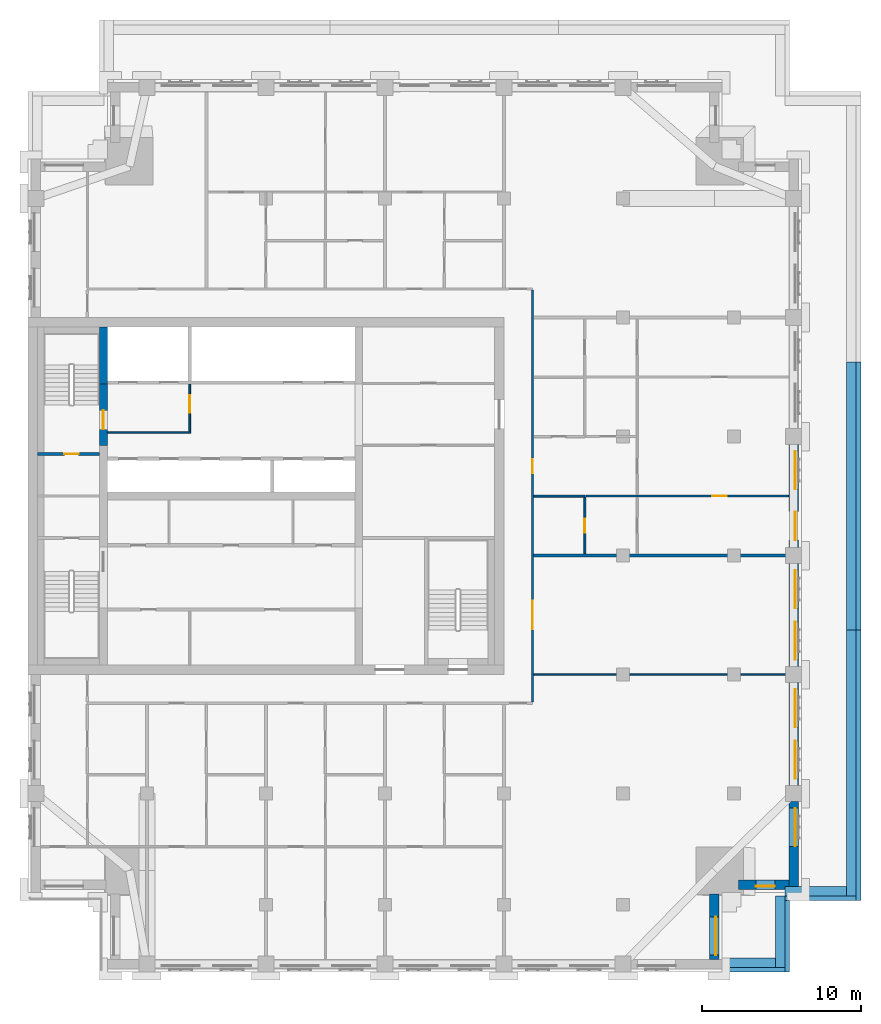
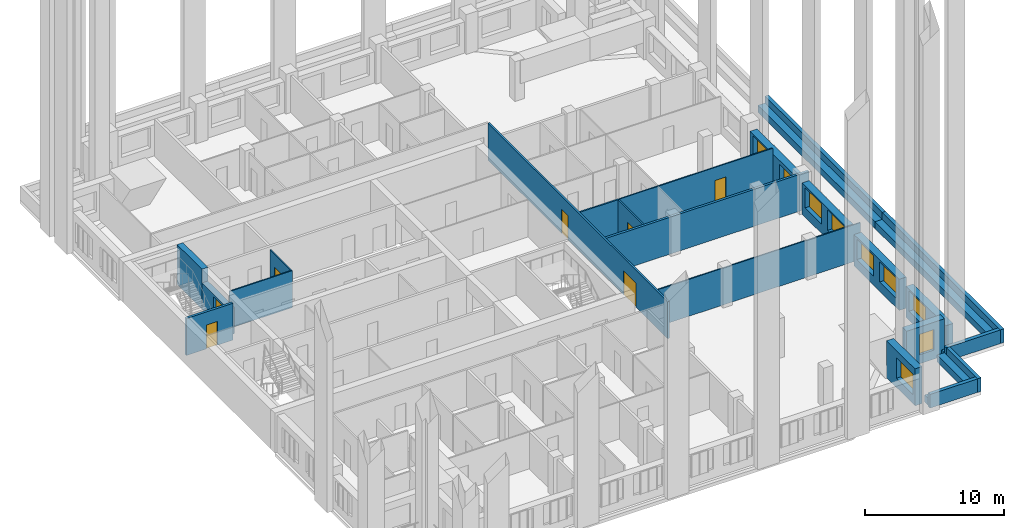
# One storey, part 5 of 12: 27 walls, 8 doors, 8 windows, 16 openings.
"""IFC4 building model written with IfcOpenShell, lengths in metres."""

from ifc_helpers import new_model, si_unit, direction, frame, frame_2d, origin, place, context, subcontext, project, spatial, rectangle, extrude, material, layer, layer_set, type_object, element, fill, save


model = new_model("IFC4")

# Units and contexts
model_context = context("Model", 3, precision=1e-05, world=origin(), true_north=direction((0.0, 1.0)))
body_context = subcontext(model_context, "Body", "Model", "MODEL_VIEW")
ifc_project = project(units=[si_unit("LENGTHUNIT", "METRE"), si_unit("AREAUNIT", "SQUARE_METRE"), si_unit("VOLUMEUNIT", "CUBIC_METRE"), si_unit("PLANEANGLEUNIT", "RADIAN"), si_unit("MASSUNIT", "GRAM", prefix="KILO")], contexts=[model_context])

# Site, building, storey
site_placement = place(None, origin())
site = spatial("IfcSite", under=ifc_project, at=site_placement, CompositionType="ELEMENT")
building_placement = place(site_placement, origin())
building = spatial("IfcBuilding", under=site, at=building_placement, Name="Tamorin Gate", CompositionType="ELEMENT")
storey_placement = place(building_placement, frame((0.0, 0.0, 219.699951171875)))
storey = spatial("IfcBuildingStorey", under=building, at=storey_placement, Name="L54", CompositionType="ELEMENT", Elevation=219.699951171875)

# Wall, opening, window
ifc_material_1 = material(Name="Precast concrete C40/50", Category="concrete")
ifc_layer_1 = layer(ifc_material_1, 0.60009765625)
ifc_layer_set_1 = layer_set([ifc_layer_1], Name="Precast concrete C40/50")
wall_type_1 = type_object("IfcWallType", Name="Board-marked concrete facade panel 600", PredefinedType="SOLIDWALL", material=ifc_layer_set_1)
wall_1_placement = place(storey_placement, frame((73.25, 42.050048828125, 0.0), z_axis=(0.0, 0.0, 1.0), x_axis=(0.0, 1.0, 0.0)))
wall_1 = element("IfcWall", 1, at=wall_1_placement, inside=storey, type_object=wall_type_1, Name="Facade panel", PredefinedType="SOLIDWALL", context=body_context, shape_type="SweptSolid", body=[
    extrude(rectangle(XDim=4.106201171875, YDim=0.60009765625, at=frame_2d((2.05322265625, 0.0))), origin(), (0.0, 0.0, 1.0), 3.25),
])
opening_1_placement = place(wall_1_placement, frame((0.27490234375, 0.0, 0.800048828125)))
opening_1 = element("IfcOpeningElement", 2, at=opening_1_placement, cuts=wall_1, Name="Opening WN1", PredefinedType="OPENING", context=body_context, shape_type="SweptSolid", body=[
    extrude(rectangle(XDim=2.39990234375, YDim=1.800048828125, at=frame_2d((1.199951171875, 0.89990234375))), frame((0.0, 0.31005859375, 0.0), z_axis=(0.0, -1.0, 0.0), x_axis=(1.0, 0.0, 0.0)), (0.0, 0.0, 1.0), 0.6201171875),
])
ifc_material_2 = material(Name="Clear glass in aluminium frame", Category="aluminium")
window_type_1 = type_object("IfcWindowType", Name="Deep-set window 2400x1800", PartitioningType="SINGLE_PANEL", PredefinedType="WINDOW", material=ifc_material_2)
window_1_placement = place(opening_1_placement, origin())
window_1 = element("IfcWindow", 3, at=window_1_placement, inside=storey, type_object=window_type_1, Name="Deep-set window", OverallHeight=1.800048828125, OverallWidth=2.39990234375, PartitioningType="SINGLE_PANEL", PredefinedType="WINDOW", context=body_context, shape_type="SweptSolid", body=[
    extrude(rectangle(XDim=2.39990234375, YDim=1.800048828125, at=frame_2d((1.199951171875, 0.89990234375))), frame((0.0, -0.070068359375, 0.0), z_axis=(0.0, -1.0, 0.0), x_axis=(1.0, 0.0, 0.0)), (0.0, 0.0, 1.0), 0.06005859375),
])
fill(opening_1, window_1)

wall_2_placement = place(storey_placement, frame((74.78125, 46.75, 0.0), z_axis=(0.0, 0.0, 1.0), x_axis=(1.0, 0.0, 0.0)))
wall_2 = element("IfcWall", 4, at=wall_2_placement, inside=storey, type_object=wall_type_1, Name="Facade panel", PredefinedType="SOLIDWALL", context=body_context, shape_type="SweptSolid", body=[
    extrude(rectangle(XDim=3.168701171875, YDim=0.60009765625, at=frame_2d((1.58447265625, 0.0))), origin(), (0.0, 0.0, 1.0), 3.25),
])
opening_2_placement = place(wall_2_placement, frame((1.09375, 0.0, 0.800048828125)))
opening_2 = element("IfcOpeningElement", 5, at=opening_2_placement, cuts=wall_2, Name="Opening WN3", PredefinedType="OPENING", context=body_context, shape_type="SweptSolid", body=[
    extrude(rectangle(XDim=1.199951171875, YDim=1.800048828125, at=frame_2d((0.60009765625, 0.89990234375))), frame((0.0, 0.31005859375, 0.0), z_axis=(0.0, -1.0, 0.0), x_axis=(1.0, 0.0, 0.0)), (0.0, 0.0, 1.0), 0.6201171875),
])
window_type_2 = type_object("IfcWindowType", Name="Deep-set window 1200x1800", PartitioningType="SINGLE_PANEL", PredefinedType="WINDOW", material=ifc_material_2)
window_2_placement = place(opening_2_placement, origin())
window_2 = element("IfcWindow", 6, at=window_2_placement, inside=storey, type_object=window_type_2, Name="Deep-set window", OverallHeight=1.800048828125, OverallWidth=1.199951171875, PartitioningType="SINGLE_PANEL", PredefinedType="WINDOW", context=body_context, shape_type="SweptSolid", body=[
    extrude(rectangle(XDim=1.199951171875, YDim=1.800048828125, at=frame_2d((0.60009765625, 0.89990234375))), frame((0.0, -0.070068359375, 0.0), z_axis=(0.0, -1.0, 0.0), x_axis=(1.0, 0.0, 0.0)), (0.0, 0.0, 1.0), 0.06005859375),
])
fill(opening_2, window_2)

wall_3_placement = place(storey_placement, frame((78.25, 46.25, 0.0), z_axis=(0.0, 0.0, 1.0), x_axis=(0.0, 1.0, 0.0)))
wall_3 = element("IfcWall", 7, at=wall_3_placement, inside=storey, type_object=wall_type_1, Name="Facade panel", PredefinedType="SOLIDWALL", context=body_context, shape_type="SweptSolid", body=[
    extrude(rectangle(XDim=5.75, YDim=0.60009765625, at=frame_2d((2.875, 0.0))), origin(), (0.0, 0.0, 1.0), 2.75),
])
opening_3_placement = place(wall_3_placement, frame((2.925048828125, 0.0, 0.800048828125)))
opening_3 = element("IfcOpeningElement", 8, at=opening_3_placement, cuts=wall_3, Name="Opening WN1", PredefinedType="OPENING", context=body_context, shape_type="SweptSolid", body=[
    extrude(rectangle(XDim=2.39990234375, YDim=1.800048828125, at=frame_2d((1.199951171875, 0.89990234375))), frame((0.0, 0.31005859375, 0.0), z_axis=(0.0, -1.0, 0.0), x_axis=(1.0, 0.0, 0.0)), (0.0, 0.0, 1.0), 0.6201171875),
])
window_3_placement = place(opening_3_placement, origin())
window_3 = element("IfcWindow", 9, at=window_3_placement, inside=storey, type_object=window_type_1, Name="Deep-set window", OverallHeight=1.800048828125, OverallWidth=2.39990234375, PartitioningType="SINGLE_PANEL", PredefinedType="WINDOW", context=body_context, shape_type="SweptSolid", body=[
    extrude(rectangle(XDim=2.39990234375, YDim=1.800048828125, at=frame_2d((1.199951171875, 0.89990234375))), frame((0.0, -0.070068359375, 0.0), z_axis=(0.0, -1.0, 0.0), x_axis=(1.0, 0.0, 0.0)), (0.0, 0.0, 1.0), 0.06005859375),
])
fill(opening_3, window_3)

# Wall, openings, windows
wall_4_placement = place(storey_placement, frame((78.25, 53.0, 0.0), z_axis=(0.0, 0.0, 1.0), x_axis=(0.0, 1.0, 0.0)))
wall_4 = element("IfcWall", 10, at=wall_4_placement, inside=storey, type_object=wall_type_1, Name="Facade panel", PredefinedType="SOLIDWALL", context=body_context, shape_type="SweptSolid", body=[
    extrude(rectangle(XDim=6.5, YDim=0.60009765625, at=frame_2d((3.25, 0.0))), origin(), (0.0, 0.0, 1.0), 2.75),
])
opening_4_placement = place(wall_4_placement, frame((0.425048828125, 0.0, 0.800048828125)))
opening_4 = element("IfcOpeningElement", 11, at=opening_4_placement, cuts=wall_4, Name="Opening WN1", PredefinedType="OPENING", context=body_context, shape_type="SweptSolid", body=[
    extrude(rectangle(XDim=2.39990234375, YDim=1.800048828125, at=frame_2d((1.199951171875, 0.89990234375))), frame((0.0, 0.31005859375, 0.0), z_axis=(0.0, -1.0, 0.0), x_axis=(1.0, 0.0, 0.0)), (0.0, 0.0, 1.0), 0.6201171875),
])
opening_5_placement = place(wall_4_placement, frame((3.675048828125, 0.0, 0.800048828125)))
opening_5 = element("IfcOpeningElement", 12, at=opening_5_placement, cuts=wall_4, Name="Opening WN1", PredefinedType="OPENING", context=body_context, shape_type="SweptSolid", body=[
    extrude(rectangle(XDim=2.39990234375, YDim=1.800048828125, at=frame_2d((1.199951171875, 0.89990234375))), frame((0.0, 0.31005859375, 0.0), z_axis=(0.0, -1.0, 0.0), x_axis=(1.0, 0.0, 0.0)), (0.0, 0.0, 1.0), 0.6201171875),
])
window_4_placement = place(opening_4_placement, origin())
window_4 = element("IfcWindow", 13, at=window_4_placement, inside=storey, type_object=window_type_1, Name="Deep-set window", OverallHeight=1.800048828125, OverallWidth=2.39990234375, PartitioningType="SINGLE_PANEL", PredefinedType="WINDOW", context=body_context, shape_type="SweptSolid", body=[
    extrude(rectangle(XDim=2.39990234375, YDim=1.800048828125, at=frame_2d((1.199951171875, 0.89990234375))), frame((0.0, -0.070068359375, 0.0), z_axis=(0.0, -1.0, 0.0), x_axis=(1.0, 0.0, 0.0)), (0.0, 0.0, 1.0), 0.06005859375),
])
fill(opening_4, window_4)
window_5_placement = place(opening_5_placement, origin())
window_5 = element("IfcWindow", 14, at=window_5_placement, inside=storey, type_object=window_type_1, Name="Deep-set window", OverallHeight=1.800048828125, OverallWidth=2.39990234375, PartitioningType="SINGLE_PANEL", PredefinedType="WINDOW", context=body_context, shape_type="SweptSolid", body=[
    extrude(rectangle(XDim=2.39990234375, YDim=1.800048828125, at=frame_2d((1.199951171875, 0.89990234375))), frame((0.0, -0.070068359375, 0.0), z_axis=(0.0, -1.0, 0.0), x_axis=(1.0, 0.0, 0.0)), (0.0, 0.0, 1.0), 0.06005859375),
])
fill(opening_5, window_5)

wall_5_placement = place(storey_placement, frame((78.25, 60.5, 0.0), z_axis=(0.0, 0.0, 1.0), x_axis=(0.0, 1.0, 0.0)))
wall_5 = element("IfcWall", 15, at=wall_5_placement, inside=storey, type_object=wall_type_1, Name="Facade panel", PredefinedType="SOLIDWALL", context=body_context, shape_type="SweptSolid", body=[
    extrude(rectangle(XDim=6.5, YDim=0.60009765625, at=frame_2d((3.25, 0.0))), origin(), (0.0, 0.0, 1.0), 2.75),
])
opening_6_placement = place(wall_5_placement, frame((0.425048828125, 0.0, 0.800048828125)))
opening_6 = element("IfcOpeningElement", 16, at=opening_6_placement, cuts=wall_5, Name="Opening WN1", PredefinedType="OPENING", context=body_context, shape_type="SweptSolid", body=[
    extrude(rectangle(XDim=2.39990234375, YDim=1.800048828125, at=frame_2d((1.199951171875, 0.89990234375))), frame((0.0, 0.31005859375, 0.0), z_axis=(0.0, -1.0, 0.0), x_axis=(1.0, 0.0, 0.0)), (0.0, 0.0, 1.0), 0.6201171875),
])
opening_7_placement = place(wall_5_placement, frame((3.675048828125, 0.0, 0.800048828125)))
opening_7 = element("IfcOpeningElement", 17, at=opening_7_placement, cuts=wall_5, Name="Opening WN1", PredefinedType="OPENING", context=body_context, shape_type="SweptSolid", body=[
    extrude(rectangle(XDim=2.39990234375, YDim=1.800048828125, at=frame_2d((1.199951171875, 0.89990234375))), frame((0.0, 0.31005859375, 0.0), z_axis=(0.0, -1.0, 0.0), x_axis=(1.0, 0.0, 0.0)), (0.0, 0.0, 1.0), 0.6201171875),
])
window_6_placement = place(opening_6_placement, origin())
window_6 = element("IfcWindow", 18, at=window_6_placement, inside=storey, type_object=window_type_1, Name="Deep-set window", OverallHeight=1.800048828125, OverallWidth=2.39990234375, PartitioningType="SINGLE_PANEL", PredefinedType="WINDOW", context=body_context, shape_type="SweptSolid", body=[
    extrude(rectangle(XDim=2.39990234375, YDim=1.800048828125, at=frame_2d((1.199951171875, 0.89990234375))), frame((0.0, -0.070068359375, 0.0), z_axis=(0.0, -1.0, 0.0), x_axis=(1.0, 0.0, 0.0)), (0.0, 0.0, 1.0), 0.06005859375),
])
fill(opening_6, window_6)
window_7_placement = place(opening_7_placement, origin())
window_7 = element("IfcWindow", 19, at=window_7_placement, inside=storey, type_object=window_type_1, Name="Deep-set window", OverallHeight=1.800048828125, OverallWidth=2.39990234375, PartitioningType="SINGLE_PANEL", PredefinedType="WINDOW", context=body_context, shape_type="SweptSolid", body=[
    extrude(rectangle(XDim=2.39990234375, YDim=1.800048828125, at=frame_2d((1.199951171875, 0.89990234375))), frame((0.0, -0.070068359375, 0.0), z_axis=(0.0, -1.0, 0.0), x_axis=(1.0, 0.0, 0.0)), (0.0, 0.0, 1.0), 0.06005859375),
])
fill(opening_7, window_7)

# Wall, openings, window, door
wall_6_placement = place(storey_placement, frame((78.25, 68.0, 0.0), z_axis=(0.0, 0.0, 1.0), x_axis=(0.0, 1.0, 0.0)))
wall_6 = element("IfcWall", 20, at=wall_6_placement, inside=storey, type_object=wall_type_1, Name="Facade panel", PredefinedType="SOLIDWALL", context=body_context, shape_type="SweptSolid", body=[
    extrude(rectangle(XDim=6.5, YDim=0.60009765625, at=frame_2d((3.25, 0.0))), origin(), (0.0, 0.0, 1.0), 2.75),
])
opening_8_placement = place(wall_6_placement, frame((0.47509765625, 0.0, 0.0)))
opening_8 = element("IfcOpeningElement", 21, at=opening_8_placement, cuts=wall_6, Name="Opening DX1", PredefinedType="OPENING", context=body_context, shape_type="SweptSolid", body=[
    extrude(rectangle(XDim=1.800048828125, YDim=2.39990234375, at=frame_2d((0.89990234375, 1.199951171875))), frame((0.0, 0.31005859375, 0.0), z_axis=(0.0, -1.0, 0.0), x_axis=(1.0, 0.0, 0.0)), (0.0, 0.0, 1.0), 0.6201171875),
])
opening_9_placement = place(wall_6_placement, frame((3.675048828125, 0.0, 0.800048828125)))
opening_9 = element("IfcOpeningElement", 22, at=opening_9_placement, cuts=wall_6, Name="Opening WN1", PredefinedType="OPENING", context=body_context, shape_type="SweptSolid", body=[
    extrude(rectangle(XDim=2.39990234375, YDim=1.800048828125, at=frame_2d((1.199951171875, 0.89990234375))), frame((0.0, 0.31005859375, 0.0), z_axis=(0.0, -1.0, 0.0), x_axis=(1.0, 0.0, 0.0)), (0.0, 0.0, 1.0), 0.6201171875),
])
window_8_placement = place(opening_9_placement, origin())
window_8 = element("IfcWindow", 23, at=window_8_placement, inside=storey, type_object=window_type_1, Name="Deep-set window", OverallHeight=1.800048828125, OverallWidth=2.39990234375, PartitioningType="SINGLE_PANEL", PredefinedType="WINDOW", context=body_context, shape_type="SweptSolid", body=[
    extrude(rectangle(XDim=2.39990234375, YDim=1.800048828125, at=frame_2d((1.199951171875, 0.89990234375))), frame((0.0, -0.070068359375, 0.0), z_axis=(0.0, -1.0, 0.0), x_axis=(1.0, 0.0, 0.0)), (0.0, 0.0, 1.0), 0.06005859375),
])
fill(opening_9, window_8)
door_type_1 = type_object("IfcDoorType", Name="Terrace door 1800x2400", OperationType="DOUBLE_DOOR_SINGLE_SWING", PredefinedType="DOOR", material=ifc_material_2)
door_1_placement = place(opening_8_placement, origin())
door_1 = element("IfcDoor", 24, at=door_1_placement, inside=storey, type_object=door_type_1, Name="Terrace door", OperationType="SINGLE_SWING_LEFT", OverallHeight=2.39990234375, OverallWidth=1.800048828125, PredefinedType="DOOR", context=body_context, shape_type="SweptSolid", body=[
    extrude(rectangle(XDim=1.800048828125, YDim=2.39990234375, at=frame_2d((0.89990234375, 1.199951171875))), frame((0.0, -0.0751953125, 0.0), z_axis=(0.0, -1.0, 0.0), x_axis=(1.0, 0.0, 0.0)), (0.0, 0.0, 1.0), 0.050048828125),
])
fill(opening_8, door_1)

# Wall, openings, doors
ifc_material_3 = material(Name="Gypsum board partition")
ifc_layer_2 = layer(ifc_material_3, 0.14990234375)
ifc_layer_set_2 = layer_set([ifc_layer_2], Name="Corridor wall 150")
wall_type_2 = type_object("IfcWallType", Name="Corridor wall 150", PredefinedType="PARTITIONING", material=ifc_layer_set_2)
wall_7_placement = place(storey_placement, frame((61.800048828125, 58.27490234375, 0.0), z_axis=(0.0, 0.0, 1.0), x_axis=(0.0, 1.0, 0.0)))
wall_7 = element("IfcWall", 25, at=wall_7_placement, inside=storey, type_object=wall_type_2, Name="Corridor wall 150", PredefinedType="PARTITIONING", context=body_context, shape_type="SweptSolid", body=[
    extrude(rectangle(XDim=25.9501953125, YDim=0.14990234375, at=frame_2d((12.97509765625, 0.0))), origin(), (0.0, 0.0, 1.0), 3.25),
])
opening_10_placement = place(wall_7_placement, frame((4.574951171875, 0.0, 0.0)))
opening_10 = element("IfcOpeningElement", 26, at=opening_10_placement, cuts=wall_7, Name="Opening DTF5033", PredefinedType="OPENING", context=body_context, shape_type="SweptSolid", body=[
    extrude(rectangle(XDim=1.800048828125, YDim=2.10009765625, at=frame_2d((0.89990234375, 1.050048828125))), frame((0.0, 0.0849609375, 0.0), z_axis=(0.0, -1.0, 0.0), x_axis=(1.0, 0.0, 0.0)), (0.0, 0.0, 1.0), 0.169921875),
])
opening_11_placement = place(wall_7_placement, frame((14.39990234375, 0.0, 0.0)))
opening_11 = element("IfcOpeningElement", 27, at=opening_11_placement, cuts=wall_7, Name="Opening DTF5036", PredefinedType="OPENING", context=body_context, shape_type="SweptSolid", body=[
    extrude(rectangle(XDim=0.89990234375, YDim=2.10009765625, at=frame_2d((0.449951171875, 1.050048828125))), frame((0.0, 0.0849609375, 0.0), z_axis=(0.0, -1.0, 0.0), x_axis=(1.0, 0.0, 0.0)), (0.0, 0.0, 1.0), 0.169921875),
])
ifc_material_4 = material(Name="Timber door leaf", Category="wood")
door_type_2 = type_object("IfcDoorType", Name="Door 1800 x 2100 FD30S", OperationType="DOUBLE_DOOR_SINGLE_SWING", PredefinedType="DOOR", material=ifc_material_4)
door_2_placement = place(opening_10_placement, origin())
door_2 = element("IfcDoor", 28, at=door_2_placement, inside=storey, type_object=door_type_2, Name="Door DTF5033", OperationType="DOUBLE_DOOR_SINGLE_SWING", OverallHeight=2.10009765625, OverallWidth=1.800048828125, PredefinedType="DOOR", context=body_context, shape_type="SweptSolid", body=[
    extrude(rectangle(XDim=1.800048828125, YDim=2.10009765625, at=frame_2d((0.89990234375, 1.050048828125))), frame((0.0, 0.02490234375, 0.0), z_axis=(0.0, -1.0, 0.0), x_axis=(1.0, 0.0, 0.0)), (0.0, 0.0, 1.0), 0.050048828125),
])
fill(opening_10, door_2)
door_type_3 = type_object("IfcDoorType", Name="Door 900 x 2100 FD30S", OperationType="NOTDEFINED", PredefinedType="DOOR", material=ifc_material_4)
door_3_placement = place(opening_11_placement, origin())
door_3 = element("IfcDoor", 29, at=door_3_placement, inside=storey, type_object=door_type_3, Name="Door DTF5036", OperationType="SINGLE_SWING_RIGHT", OverallHeight=2.10009765625, OverallWidth=0.89990234375, PredefinedType="DOOR", context=body_context, shape_type="SweptSolid", body=[
    extrude(rectangle(XDim=0.89990234375, YDim=2.10009765625, at=frame_2d((0.449951171875, 1.050048828125))), frame((0.0, 0.02490234375, 0.0), z_axis=(0.0, -1.0, 0.0), x_axis=(1.0, 0.0, 0.0)), (0.0, 0.0, 1.0), 0.050048828125),
])
fill(opening_11, door_3)

# Walls
ifc_layer_3 = layer(ifc_material_3, 0.199951171875)
ifc_layer_set_3 = layer_set([ifc_layer_3], Name="Demising wall 200")
wall_type_3 = type_object("IfcWallType", Name="Demising wall 200", PredefinedType="PARTITIONING", material=ifc_layer_set_3)
wall_8_placement = place(storey_placement, frame((61.875, 67.5, 0.0), z_axis=(0.0, 0.0, 1.0), x_axis=(1.0, 0.0, 0.0)))
element("IfcWall", 30, at=wall_8_placement, inside=storey, type_object=wall_type_3, Name="Demising wall 200", PredefinedType="PARTITIONING", context=body_context, shape_type="SweptSolid", body=[
    extrude(rectangle(XDim=16.875, YDim=0.199951171875, at=frame_2d((8.4375, 0.0))), origin(), (0.0, 0.0, 1.0), 3.25),
])
ifc_material_5 = material(Name="Fire-rated gypsum board partition")
ifc_layer_4 = layer(ifc_material_5, 0.10009765625)
ifc_layer_set_4 = layer_set([ifc_layer_4], Name="Lobby wall 100 EI 60")
wall_type_4 = type_object("IfcWallType", Name="Lobby wall 100 EI 60", PredefinedType="PARTITIONING", material=ifc_layer_set_4)
wall_9_placement = place(storey_placement, frame((35.0, 75.25, 0.0), z_axis=(0.0, 0.0, 1.0), x_axis=(1.0, 0.0, 0.0)))
element("IfcWall", 31, at=wall_9_placement, inside=storey, type_object=wall_type_4, Name="Firefighting lobby wall", PredefinedType="PARTITIONING", context=body_context, shape_type="SweptSolid", body=[
    extrude(rectangle(XDim=5.25, YDim=0.10009765625, at=frame_2d((2.625, 0.0))), origin(), (0.0, 0.0, 1.0), 3.25),
])

# Wall, opening, door
wall_10_placement = place(storey_placement, frame((40.199951171875, 75.300048828125, 0.0), z_axis=(0.0, 0.0, 1.0), x_axis=(0.0, 1.0, 0.0)))
wall_10 = element("IfcWall", 32, at=wall_10_placement, inside=storey, type_object=wall_type_4, Name="Firefighting lobby wall", PredefinedType="PARTITIONING", context=body_context, shape_type="SweptSolid", body=[
    extrude(rectangle(XDim=3.0, YDim=0.10009765625, at=frame_2d((1.5, 0.0))), origin(), (0.0, 0.0, 1.0), 3.25),
])
opening_12_placement = place(wall_10_placement, frame((1.199951171875, 0.0, 0.0)))
opening_12 = element("IfcOpeningElement", 33, at=opening_12_placement, cuts=wall_10, Name="Opening DF1", PredefinedType="OPENING", context=body_context, shape_type="SweptSolid", body=[
    extrude(rectangle(XDim=1.10009765625, YDim=2.10009765625, at=frame_2d((0.550048828125, 1.050048828125))), frame((0.0, 0.06005859375, 0.0), z_axis=(0.0, -1.0, 0.0), x_axis=(1.0, 0.0, 0.0)), (0.0, 0.0, 1.0), 0.1201171875),
])
ifc_material_6 = material(Name="Steel fire door", Category="steel")
door_type_4 = type_object("IfcDoorType", Name="Firefighting lobby door 1100 x 2100 EI 90", OperationType="SINGLE_SWING_LEFT", PredefinedType="DOOR", material=ifc_material_6)
door_4_placement = place(opening_12_placement, origin())
door_4 = element("IfcDoor", 34, at=door_4_placement, inside=storey, type_object=door_type_4, Name="Firefighting lobby door", OperationType="SINGLE_SWING_LEFT", OverallHeight=2.10009765625, OverallWidth=1.10009765625, PredefinedType="DOOR", context=body_context, shape_type="SweptSolid", body=[
    extrude(rectangle(XDim=1.10009765625, YDim=2.10009765625, at=frame_2d((0.550048828125, 1.050048828125))), frame((0.0, 0.02490234375, 0.0), z_axis=(0.0, -1.0, 0.0), x_axis=(1.0, 0.0, 0.0)), (0.0, 0.0, 1.0), 0.050048828125),
])
fill(opening_12, door_4)

# Walls
ifc_material_7 = material(Name="Concrete C50/60", Category="concrete")
ifc_layer_5 = layer(ifc_material_7, 0.5)
ifc_layer_set_5 = layer_set([ifc_layer_5], Name="RC core internal wall 500 C50/60")
wall_type_5 = type_object("IfcWallType", Name="RC core internal wall 500 C50/60", PredefinedType="SHEAR", material=ifc_layer_set_5)
wall_11_placement = place(storey_placement, frame((34.75, 78.300048828125, 0.0), z_axis=(0.0, 0.0, 1.0), x_axis=(0.0, 1.0, 0.0)))
element("IfcWall", 35, at=wall_11_placement, inside=storey, type_object=wall_type_5, Name="Core cross wall L54", PredefinedType="SHEAR", context=body_context, shape_type="SweptSolid", body=[
    extrude(rectangle(XDim=3.599853515625, YDim=0.5, at=frame_2d((1.7998046875, 0.0))), origin(), (0.0, 0.0, 1.0), 3.5),
])
ifc_layer_6 = layer(ifc_material_3, 0.10009765625)
ifc_layer_set_6 = layer_set([ifc_layer_6], Name="Room partition 100")
wall_type_6 = type_object("IfcWallType", Name="Room partition 100", PredefinedType="PARTITIONING", material=ifc_layer_set_6)
wall_12_placement = place(storey_placement, frame((61.875, 60.0, 0.0), z_axis=(0.0, 0.0, 1.0), x_axis=(1.0, 0.0, 0.0)))
element("IfcWall", 36, at=wall_12_placement, inside=storey, type_object=wall_type_6, Name="Room partition 100", PredefinedType="PARTITIONING", context=body_context, shape_type="SweptSolid", body=[
    extrude(rectangle(XDim=16.875, YDim=0.10009765625, at=frame_2d((8.4375, 0.0))), origin(), (0.0, 0.0, 1.0), 3.25),
])

# Wall, opening, door
wall_13_placement = place(storey_placement, frame((65.16259765625, 71.25, 0.0), z_axis=(0.0, 0.0, 1.0), x_axis=(1.0, 0.0, 0.0)))
wall_13 = element("IfcWall", 37, at=wall_13_placement, inside=storey, type_object=wall_type_6, Name="Room partition 100", PredefinedType="PARTITIONING", context=body_context, shape_type="SweptSolid", body=[
    extrude(rectangle(XDim=12.77734375, YDim=0.10009765625, at=frame_2d((6.388671875, 0.0))), origin(), (0.0, 0.0, 1.0), 3.25),
])
opening_13_placement = place(wall_13_placement, frame((7.96240234375, 0.0, 0.0)))
opening_13 = element("IfcOpeningElement", 38, at=opening_13_placement, cuts=wall_13, Name="Opening DTF5042", PredefinedType="OPENING", context=body_context, shape_type="SweptSolid", body=[
    extrude(rectangle(XDim=0.89990234375, YDim=2.10009765625, at=frame_2d((0.449951171875, 1.050048828125))), frame((0.0, 0.06005859375, 0.0), z_axis=(0.0, -1.0, 0.0), x_axis=(1.0, 0.0, 0.0)), (0.0, 0.0, 1.0), 0.1201171875),
])
door_type_5 = type_object("IfcDoorType", Name="Door 900 x 2100", OperationType="NOTDEFINED", PredefinedType="DOOR", material=ifc_material_4)
door_5_placement = place(opening_13_placement, origin())
door_5 = element("IfcDoor", 39, at=door_5_placement, inside=storey, type_object=door_type_5, Name="Door DTF5042", OperationType="SINGLE_SWING_LEFT", OverallHeight=2.10009765625, OverallWidth=0.89990234375, PredefinedType="DOOR", context=body_context, shape_type="SweptSolid", body=[
    extrude(rectangle(XDim=0.89990234375, YDim=2.10009765625, at=frame_2d((0.449951171875, 1.050048828125))), frame((0.0, 0.02490234375, 0.0), z_axis=(0.0, -1.0, 0.0), x_axis=(1.0, 0.0, 0.0)), (0.0, 0.0, 1.0), 0.050048828125),
])
fill(opening_13, door_5)

ifc_material_8 = material(Name="Concrete C40/50", Category="concrete")
ifc_layer_7 = layer(ifc_material_8, 0.199951171875)
ifc_layer_set_7 = layer_set([ifc_layer_7], Name="Stair enclosure wall 200 EI 120 C40/50")
wall_type_7 = type_object("IfcWallType", Name="Stair enclosure wall 200 EI 120 C40/50", PredefinedType="SOLIDWALL", material=ifc_layer_set_7)
wall_14_placement = place(storey_placement, frame((30.60009765625, 73.89990234375, 0.0), z_axis=(0.0, 0.0, 1.0), x_axis=(1.0, 0.0, 0.0)))
wall_14 = element("IfcWall", 40, at=wall_14_placement, inside=storey, type_object=wall_type_7, Name="Stair enclosure wall", PredefinedType="SOLIDWALL", context=body_context, shape_type="SweptSolid", body=[
    extrude(rectangle(XDim=3.89990234375, YDim=0.199951171875, at=frame_2d((1.949951171875, 0.0))), origin(), (0.0, 0.0, 1.0), 3.25),
])
opening_14_placement = place(wall_14_placement, frame((1.699951171875, 0.0, 0.0)))
opening_14 = element("IfcOpeningElement", 41, at=opening_14_placement, cuts=wall_14, Name="Opening DR1", PredefinedType="OPENING", context=body_context, shape_type="SweptSolid", body=[
    extrude(rectangle(XDim=0.89990234375, YDim=2.10009765625, at=frame_2d((0.449951171875, 1.050048828125))), frame((0.0, 0.10986328125, 0.0), z_axis=(0.0, -1.0, 0.0), x_axis=(1.0, 0.0, 0.0)), (0.0, 0.0, 1.0), 0.219970703125),
])
door_type_6 = type_object("IfcDoorType", Name="Riser access door 900 x 2100 EI 120", OperationType="SINGLE_SWING_LEFT", PredefinedType="DOOR", material=ifc_material_6)
door_6_placement = place(opening_14_placement, origin())
door_6 = element("IfcDoor", 42, at=door_6_placement, inside=storey, type_object=door_type_6, Name="Communications riser door", OperationType="SINGLE_SWING_RIGHT", OverallHeight=2.10009765625, OverallWidth=0.89990234375, PredefinedType="DOOR", context=body_context, shape_type="SweptSolid", body=[
    extrude(rectangle(XDim=0.89990234375, YDim=2.10009765625, at=frame_2d((0.449951171875, 1.050048828125))), frame((0.0, 0.02490234375, 0.0), z_axis=(0.0, -1.0, 0.0), x_axis=(1.0, 0.0, 0.0)), (0.0, 0.0, 1.0), 0.050048828125),
])
fill(opening_14, door_6)

ifc_material_9 = material(Name="Concrete C32/40", Category="concrete")
ifc_layer_8 = layer(ifc_material_9, 0.5)
ifc_layer_set_8 = layer_set([ifc_layer_8], Name="Stair lobby infill wall 500 EI 120")
wall_type_8 = type_object("IfcWallType", Name="Stair lobby infill wall 500 EI 120", PredefinedType="SOLIDWALL", material=ifc_layer_set_8)
wall_15_placement = place(storey_placement, frame((34.75, 74.449951171875, 0.0), z_axis=(0.0, 0.0, 1.0), x_axis=(0.0, 1.0, 0.0)))
wall_15 = element("IfcWall", 43, at=wall_15_placement, inside=storey, type_object=wall_type_8, Name="Stair lobby infill wall", PredefinedType="SOLIDWALL", context=body_context, shape_type="SweptSolid", body=[
    extrude(rectangle(XDim=3.85009765625, YDim=0.5, at=frame_2d((1.925048828125, 0.0))), origin(), (0.0, 0.0, 1.0), 2.300048828125),
])
opening_15_placement = place(wall_15_placement, frame((1.0, 0.0, 0.0)))
opening_15 = element("IfcOpeningElement", 44, at=opening_15_placement, cuts=wall_15, Name="Opening DS1", PredefinedType="OPENING", context=body_context, shape_type="SweptSolid", body=[
    extrude(rectangle(XDim=1.199951171875, YDim=2.10009765625, at=frame_2d((0.60009765625, 1.050048828125))), frame((0.0, 0.260009765625, 0.0), z_axis=(0.0, -1.0, 0.0), x_axis=(1.0, 0.0, 0.0)), (0.0, 0.0, 1.0), 0.52001953125),
])
door_type_7 = type_object("IfcDoorType", Name="Stair door 1200 x 2100 EI 90", OperationType="SINGLE_SWING_LEFT", PredefinedType="DOOR", material=ifc_material_6)
door_7_placement = place(opening_15_placement, origin())
door_7 = element("IfcDoor", 45, at=door_7_placement, inside=storey, type_object=door_type_7, Name="ST2 door", OperationType="SINGLE_SWING_RIGHT", OverallHeight=2.10009765625, OverallWidth=1.199951171875, PredefinedType="DOOR", context=body_context, shape_type="SweptSolid", body=[
    extrude(rectangle(XDim=1.199951171875, YDim=2.10009765625, at=frame_2d((0.60009765625, 1.050048828125))), frame((0.0, 0.02490234375, 0.0), z_axis=(0.0, -1.0, 0.0), x_axis=(1.0, 0.0, 0.0)), (0.0, 0.0, 1.0), 0.050048828125),
])
fill(opening_15, door_7)

# Walls
ifc_layer_9 = layer(ifc_material_1, 0.300048828125)
ifc_layer_set_9 = layer_set([ifc_layer_9], Name="Terrace parapet 300")
wall_type_9 = type_object("IfcWallType", Name="Terrace parapet 300", PredefinedType="PARAPET", material=ifc_layer_set_9)
wall_16_placement = place(storey_placement, frame((82.35009765625, 62.800048828125, 0.0), z_axis=(0.0, 0.0, 1.0), x_axis=(0.0, 1.0, 0.0)))
element("IfcWall", 46, at=wall_16_placement, inside=storey, type_object=wall_type_9, Name="Terrace parapet", PredefinedType="PARAPET", context=body_context, shape_type="SweptSolid", body=[
    extrude(rectangle(XDim=16.89990234375, YDim=0.300048828125, at=frame_2d((8.449951171875, 0.0))), origin(), (0.0, 0.0, 1.0), 1.199951171875),
])
wall_17_placement = place(storey_placement, frame((82.35009765625, 62.800048828125, 0.0), z_axis=(0.0, 0.0, 1.0), x_axis=(0.0, -1.0, 0.0)))
element("IfcWall", 47, at=wall_17_placement, inside=storey, type_object=wall_type_9, Name="Terrace parapet", PredefinedType="PARAPET", context=body_context, shape_type="SweptSolid", body=[
    extrude(rectangle(XDim=17.050048828125, YDim=0.300048828125, at=frame_2d((8.52490234375, 0.0))), origin(), (0.0, 0.0, 1.0), 1.199951171875),
])
for number, where, z_axis, x_axis, name in (
    (48, (77.699951171875, 45.89990234375, 0.0), (0.0, 0.0, 1.0), (1.0, 0.0, 0.0), "Terrace parapet"),
    (49, (77.85009765625, 41.25, 0.0), (0.0, 0.0, 1.0), (0.0, 1.0, 0.0), "Terrace parapet"),
):
    element("IfcWall", number, at=place(storey_placement, frame(where, z_axis=z_axis, x_axis=x_axis)), inside=storey, type_object=wall_type_9, Name=name, PredefinedType="PARAPET", context=body_context, shape_type="SweptSolid", body=[
        extrude(rectangle(XDim=4.5, YDim=0.300048828125, at=frame_2d((2.25, 0.0))), origin(), (0.0, 0.0, 1.0), 1.199951171875),
    ])
wall_18_placement = place(storey_placement, frame((73.75, 41.39990234375, 0.0), z_axis=(0.0, 0.0, 1.0), x_axis=(1.0, 0.0, 0.0)))
element("IfcWall", 50, at=wall_18_placement, inside=storey, type_object=wall_type_9, Name="Terrace parapet", PredefinedType="PARAPET", context=body_context, shape_type="SweptSolid", body=[
    extrude(rectangle(XDim=3.949951171875, YDim=0.300048828125, at=frame_2d((1.97509765625, 0.0))), origin(), (0.0, 0.0, 1.0), 1.199951171875),
])
ifc_layer_10 = layer(ifc_material_1, 0.60009765625)
ifc_layer_set_10 = layer_set([ifc_layer_10], Name="Terrace planter wall 600")
wall_type_10 = type_object("IfcWallType", Name="Terrace planter wall 600", PredefinedType="STANDARD", material=ifc_layer_set_10)
wall_19_placement = place(storey_placement, frame((81.89990234375, 79.699951171875, 0.0), z_axis=(0.0, 0.0, 1.0), x_axis=(0.0, -1.0, 0.0)))
element("IfcWall", 51, at=wall_19_placement, inside=storey, type_object=wall_type_10, Name="PLANTER wall", PredefinedType="STANDARD", context=body_context, shape_type="SweptSolid", body=[
    extrude(rectangle(XDim=16.89990234375, YDim=0.60009765625, at=frame_2d((8.449951171875, 0.0))), origin(), (0.0, 0.0, 1.0), 0.60009765625),
])
wall_20_placement = place(storey_placement, frame((81.89990234375, 45.75, 0.0), z_axis=(0.0, 0.0, 1.0), x_axis=(0.0, 1.0, 0.0)))
element("IfcWall", 52, at=wall_20_placement, inside=storey, type_object=wall_type_10, Name="PLANTER wall", PredefinedType="STANDARD", context=body_context, shape_type="SweptSolid", body=[
    extrude(rectangle(XDim=17.050048828125, YDim=0.60009765625, at=frame_2d((8.52490234375, 0.0))), origin(), (0.0, 0.0, 1.0), 0.60009765625),
])
wall_21_placement = place(storey_placement, frame((77.699951171875, 46.35009765625, 0.0), z_axis=(0.0, 0.0, 1.0), x_axis=(1.0, 0.0, 0.0)))
element("IfcWall", 53, at=wall_21_placement, inside=storey, type_object=wall_type_10, Name="PLANTER wall", PredefinedType="STANDARD", context=body_context, shape_type="SweptSolid", body=[
    extrude(rectangle(XDim=3.900146484375, YDim=0.60009765625, at=frame_2d((1.9501953125, 0.0))), origin(), (0.0, 0.0, 1.0), 0.60009765625),
])
wall_22_placement = place(storey_placement, frame((77.39990234375, 46.050048828125, 0.0), z_axis=(0.0, 0.0, 1.0), x_axis=(0.0, -1.0, 0.0)))
element("IfcWall", 54, at=wall_22_placement, inside=storey, type_object=wall_type_10, Name="PLANTER wall", PredefinedType="STANDARD", context=body_context, shape_type="SweptSolid", body=[
    extrude(rectangle(XDim=4.800048828125, YDim=0.60009765625, at=frame_2d((2.39990234375, 0.0))), origin(), (0.0, 0.0, 1.0), 0.60009765625),
])
wall_23_placement = place(storey_placement, frame((73.800048828125, 41.85009765625, 0.0), z_axis=(0.0, 0.0, 1.0), x_axis=(1.0, 0.0, 0.0)))
element("IfcWall", 55, at=wall_23_placement, inside=storey, type_object=wall_type_10, Name="PLANTER wall", PredefinedType="STANDARD", context=body_context, shape_type="SweptSolid", body=[
    extrude(rectangle(XDim=3.300048828125, YDim=0.60009765625, at=frame_2d((1.64990234375, 0.0))), origin(), (0.0, 0.0, 1.0), 0.60009765625),
])
ifc_layer_11 = layer(ifc_material_3, 0.125)
ifc_layer_set_11 = layer_set([ifc_layer_11], Name="Wet wall 125")
wall_type_11 = type_object("IfcWallType", Name="Wet wall 125", PredefinedType="PARTITIONING", material=ifc_layer_set_11)
wall_24_placement = place(storey_placement, frame((61.875, 71.25, 0.0), z_axis=(0.0, 0.0, 1.0), x_axis=(1.0, 0.0, 0.0)))
element("IfcWall", 56, at=wall_24_placement, inside=storey, type_object=wall_type_11, Name="Wet wall 125", PredefinedType="PARTITIONING", context=body_context, shape_type="SweptSolid", body=[
    extrude(rectangle(XDim=3.22509765625, YDim=0.125, at=frame_2d((1.612548828125, 0.0))), origin(), (0.0, 0.0, 1.0), 3.25),
])

# Wall, opening, door
wall_25_placement = place(storey_placement, frame((65.10009765625, 67.60009765625, 0.0), z_axis=(0.0, 0.0, 1.0), x_axis=(0.0, 1.0, 0.0)))
wall_25 = element("IfcWall", 57, at=wall_25_placement, inside=storey, type_object=wall_type_11, Name="Wet wall 125", PredefinedType="PARTITIONING", context=body_context, shape_type="SweptSolid", body=[
    extrude(rectangle(XDim=3.58740234375, YDim=0.125, at=frame_2d((1.793701171875, 0.0))), origin(), (0.0, 0.0, 1.0), 3.25),
])
opening_16_placement = place(wall_25_placement, frame((1.324951171875, 0.0, 0.0)))
opening_16 = element("IfcOpeningElement", 58, at=opening_16_placement, cuts=wall_25, Name="Opening DTF5035", PredefinedType="OPENING", context=body_context, shape_type="SweptSolid", body=[
    extrude(rectangle(XDim=0.89990234375, YDim=2.10009765625, at=frame_2d((0.449951171875, 1.050048828125))), frame((0.0, 0.072509765625, 0.0), z_axis=(0.0, -1.0, 0.0), x_axis=(1.0, 0.0, 0.0)), (0.0, 0.0, 1.0), 0.14501953125),
])
door_8_placement = place(opening_16_placement, origin())
door_8 = element("IfcDoor", 59, at=door_8_placement, inside=storey, type_object=door_type_5, Name="Door DTF5035", OperationType="SINGLE_SWING_LEFT", OverallHeight=2.10009765625, OverallWidth=0.89990234375, PredefinedType="DOOR", context=body_context, shape_type="SweptSolid", body=[
    extrude(rectangle(XDim=0.89990234375, YDim=2.10009765625, at=frame_2d((0.449951171875, 1.050048828125))), frame((0.0, 0.02490234375, 0.0), z_axis=(0.0, -1.0, 0.0), x_axis=(1.0, 0.0, 0.0)), (0.0, 0.0, 1.0), 0.050048828125),
])
fill(opening_16, door_8)

save(model, "model.ifc")
